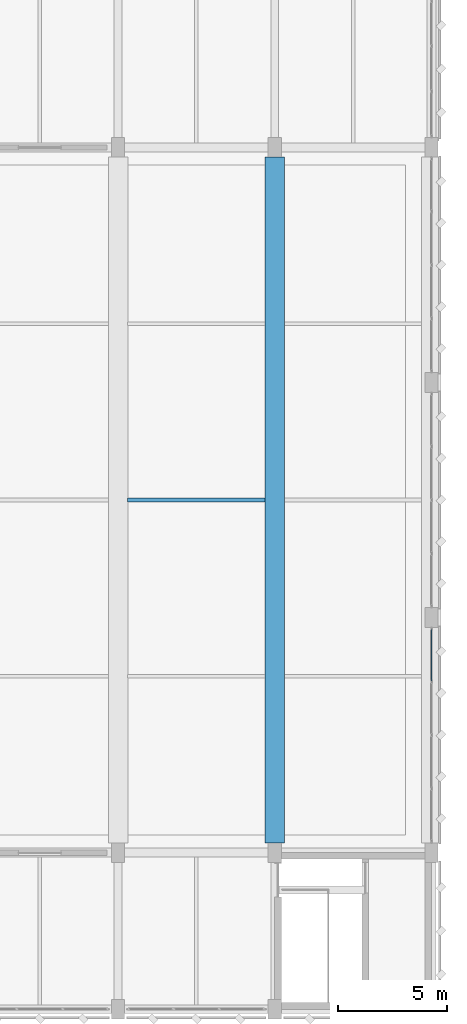
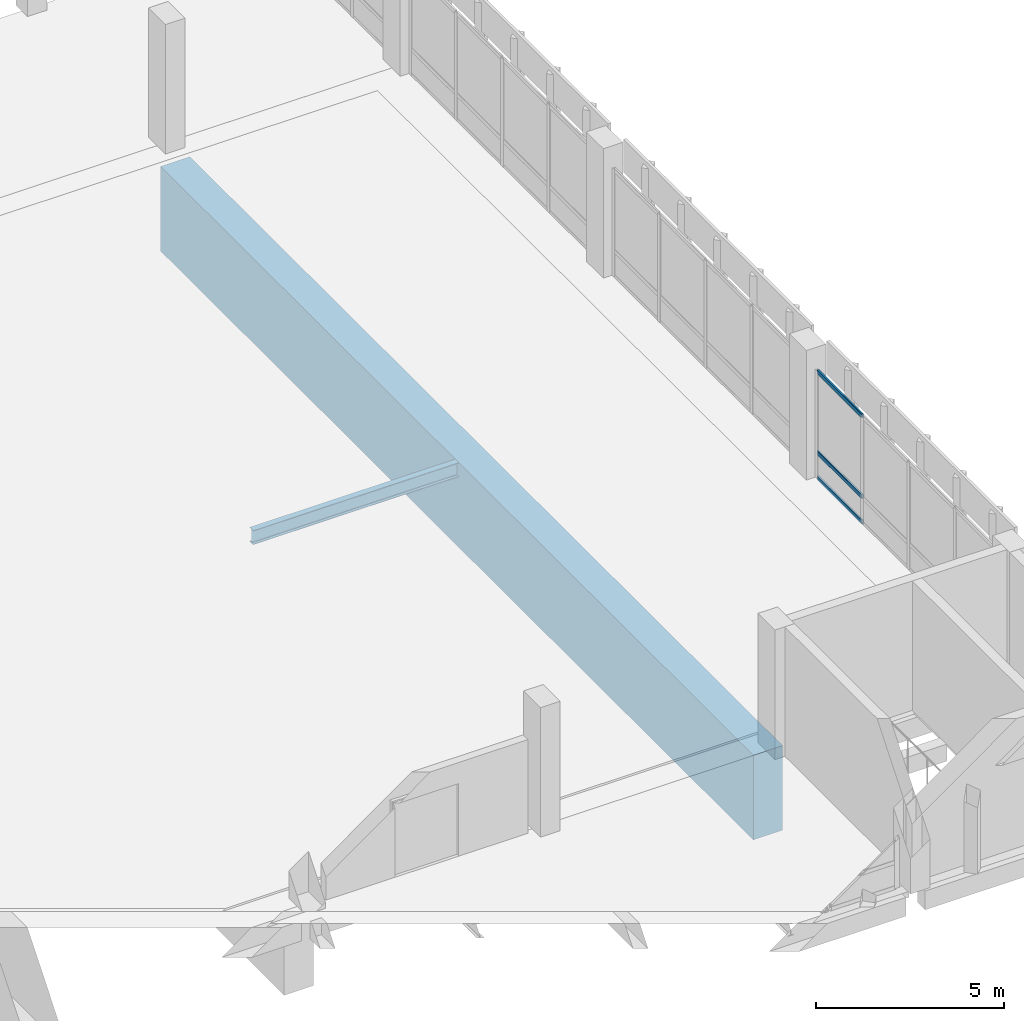
# One storey, part 81 of 158: 3 members, 2 beams, 1 element without a shape of its own.
"""IFC4 building model written with IfcOpenShell, lengths in metres."""

from ifc_helpers import new_model, si_unit, direction, frame, origin, origin_2d, place, context, subcontext, project, spatial, rectangle, hollow_rectangle, i_section, extrude, material, material_profile, profile_set, type_object, element, aggregate, save


model = new_model("IFC4")

# Units and contexts
model_context = context("Model", 3, precision=1e-05, world=origin(), true_north=direction((0.0, 1.0)))
body_context = subcontext(model_context, "Body", "Model", "MODEL_VIEW")
ifc_project = project(units=[si_unit("LENGTHUNIT", "METRE"), si_unit("AREAUNIT", "SQUARE_METRE"), si_unit("VOLUMEUNIT", "CUBIC_METRE"), si_unit("PLANEANGLEUNIT", "RADIAN"), si_unit("MASSUNIT", "GRAM", prefix="KILO")], contexts=[model_context])

# Site, building, storey
site_placement = place(None, origin())
site = spatial("IfcSite", under=ifc_project, at=site_placement, CompositionType="ELEMENT")
building_placement = place(site_placement, origin())
building = spatial("IfcBuilding", under=site, at=building_placement, Name="Lusvemor Sports Hall", CompositionType="ELEMENT")
storey_placement = place(building_placement, frame((0.0, 0.0, 10.800048828125)))
storey = spatial("IfcBuildingStorey", under=building, at=storey_placement, Name="L02", CompositionType="ELEMENT", Elevation=10.800048828125)

# Curtain wall, members
ifc_material_1 = material(Name="Thermally broken bronze-anodized aluminium", Category="aluminium")
curtain_wall_type = type_object("IfcCurtainWallType", Name="CW_COURT_C", PredefinedType="NOTDEFINED", material=ifc_material_1)
curtain_wall_placement = place(storey_placement, origin())
curtain_wall = element("IfcCurtainWall", 1, at=curtain_wall_placement, inside=storey, type_object=curtain_wall_type, Name="Curtain Wall CW-V2E-L02-1", PredefinedType="NOTDEFINED")
ifc_material_2 = material(Name="Thermally broken bronze-anodized aluminium", Category="aluminium")
ifc_material_profile_1 = material_profile(ifc_material_2, hollow_rectangle(XDim=0.06005859375, YDim=0.135009765625, WallThickness=0.00390625, InnerFilletRadius=0.00390625, OuterFilletRadius=0.008056640625, at=origin_2d()), Name="CWTRN135x60x4")
ifc_profile_set_1 = profile_set([ifc_material_profile_1], Name="Thermally broken bronze-anodized aluminium")
member_type = type_object("IfcMemberType", Name="CW_TRN_B", PredefinedType="USERDEFINED", material=ifc_profile_set_1)
member_1_placement = place(storey_placement, frame((169.199951171875, 17.455078125, 0.030029296875), z_axis=(0.0, -1.0, 0.0), x_axis=(1.0, 0.0, 0.0)))
member_1 = element("IfcMember", 2, at=member_1_placement, type_object=member_type, Name="CW03 transom 1.1", ObjectType="TRANSOM", PredefinedType="USERDEFINED", context=body_context, shape_type="SweptSolid", body=[
    extrude(hollow_rectangle(XDim=0.06005859375, YDim=0.135009765625, WallThickness=0.00390625, InnerFilletRadius=0.00390625, OuterFilletRadius=0.008056640625, at=origin_2d()), origin(), (0.0, 0.0, 1.0), 2.362548828125),
])
member_2_placement = place(storey_placement, frame((169.199951171875, 17.455078125, 0.849853515625), z_axis=(0.0, -1.0, 0.0), x_axis=(1.0, 0.0, 0.0)))
member_2 = element("IfcMember", 3, at=member_2_placement, type_object=member_type, Name="CW03 transom 1.2", ObjectType="TRANSOM", PredefinedType="USERDEFINED", context=body_context, shape_type="SweptSolid", body=[
    extrude(hollow_rectangle(XDim=0.06005859375, YDim=0.135009765625, WallThickness=0.00390625, InnerFilletRadius=0.00390625, OuterFilletRadius=0.008056640625, at=origin_2d()), origin(), (0.0, 0.0, 1.0), 2.362548828125),
])
member_3_placement = place(storey_placement, frame((169.199951171875, 17.455078125, 3.469970703125), z_axis=(0.0, -1.0, 0.0), x_axis=(1.0, 0.0, 0.0)))
member_3 = element("IfcMember", 4, at=member_3_placement, type_object=member_type, Name="CW03 transom 1.3", ObjectType="TRANSOM", PredefinedType="USERDEFINED", context=body_context, shape_type="SweptSolid", body=[
    extrude(hollow_rectangle(XDim=0.06005859375, YDim=0.135009765625, WallThickness=0.00390625, InnerFilletRadius=0.00390625, OuterFilletRadius=0.008056640625, at=origin_2d()), origin(), (0.0, 0.0, 1.0), 2.362548828125),
])
aggregate(curtain_wall, [member_1, member_2, member_3])

# Beams
ifc_material_3 = material(Name="Steel S355", Category="steel")
ifc_material_profile_2 = material_profile(ifc_material_3, i_section(OverallWidth=0.18994140625, OverallDepth=0.45703125, WebThickness=0.009033203125, FlangeThickness=0.014404296875, FilletRadius=0.01806640625, at=origin_2d()), Name="W460x74.0")
ifc_profile_set_2 = profile_set([ifc_material_profile_2], Name="Steel S355")
beam_type_1 = type_object("IfcBeamType", Name="GIRD_ST_460", PredefinedType="T_BEAM", material=ifc_profile_set_2)
beam_1_placement = place(storey_placement, frame((155.2451171875, 23.39990234375, -0.58251953125), z_axis=(1.0, 0.0, 0.0), x_axis=(0.0, 1.0, 0.0)))
element("IfcBeam", 5, at=beam_1_placement, inside=storey, type_object=beam_type_1, Name="Transfer Deck Beam 18-19 Row 2", PredefinedType="T_BEAM", context=body_context, shape_type="SweptSolid", body=[
    extrude(i_section(OverallWidth=0.18994140625, OverallDepth=0.45703125, WebThickness=0.009033203125, FlangeThickness=0.014404296875, FilletRadius=0.01806640625, at=origin_2d()), origin(), (0.0, 0.0, 1.0), 6.309814453125),
])
ifc_material_4 = material(Name="Post-tensioned concrete C50/60", Category="concrete")
ifc_material_profile_3 = material_profile(ifc_material_4, rectangle(XDim=0.89990234375, YDim=2.75, at=origin_2d()), Name="PT900x2750")
ifc_profile_set_3 = profile_set([ifc_material_profile_3], Name="Post-tensioned concrete C50/60")
beam_type_2 = type_object("IfcBeamType", Name="PTG_COURT_2750", PredefinedType="T_BEAM", material=ifc_profile_set_3)
beam_2_placement = place(storey_placement, frame((162.0, 7.64501953125, -1.72509765625), z_axis=(0.0, 1.0, 0.0), x_axis=(-1.0, 0.0, 0.0)))
element("IfcBeam", 6, at=beam_2_placement, inside=storey, type_object=beam_type_2, Name="Post-Tensioned Transfer Girder 19 (L02)", PredefinedType="T_BEAM", context=body_context, shape_type="SweptSolid", body=[
    extrude(rectangle(XDim=0.89990234375, YDim=2.75, at=origin_2d()), origin(), (0.0, 0.0, 1.0), 31.510009765625),
])

save(model, "model.ifc")
